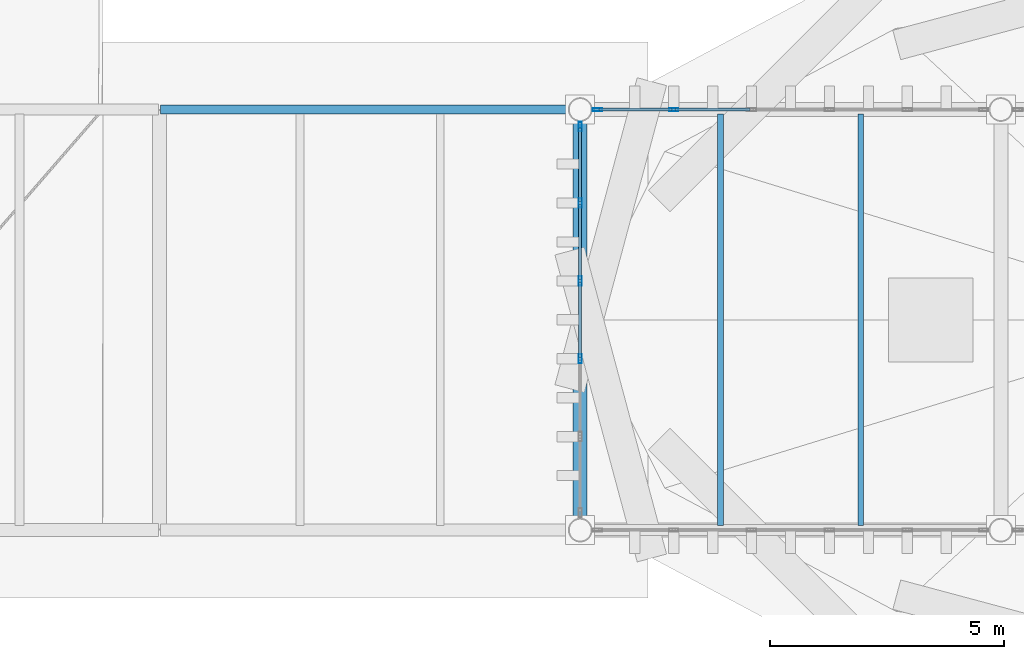
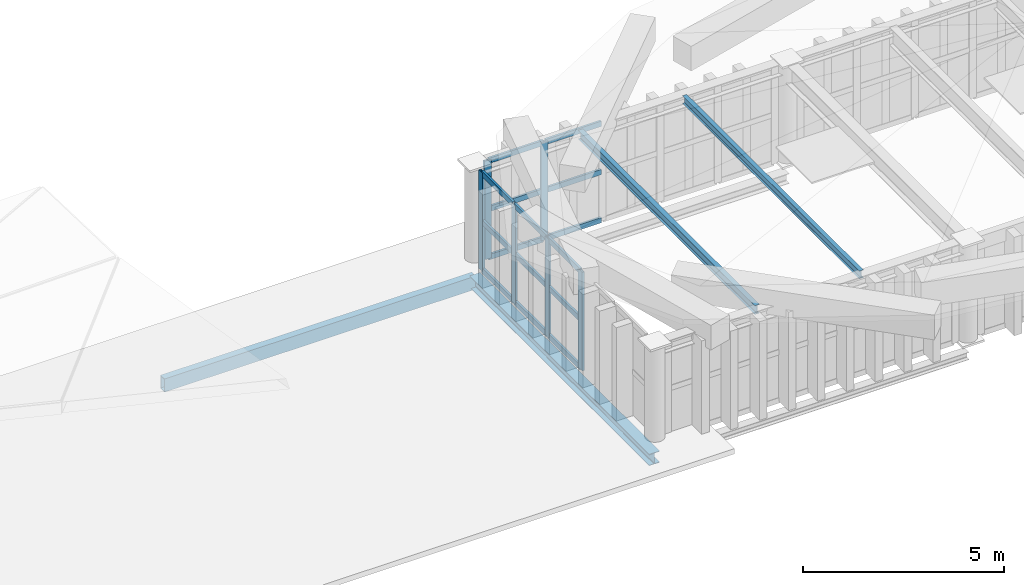
# One storey, part 16 of 102: 21 members, 4 beams, 2 elements without a shape of their own.
"""IFC4 building model written with IfcOpenShell, lengths in metres."""

import ifcopenshell
import ifcopenshell.guid

model = None  # the IFC model being written
_history = None  # IfcOwnerHistory: only IFC2X3 demands one
_inside = {}  # id of a spatial element -> (the spatial element, [elements in it])
_under = {}  # id of a project, library or spatial element -> (it, [spatial elements below it])
_declared = {}  # id of a project -> (the project, [libraries it declares])
_typed = {}  # id of a type object -> (the type object, [elements of that type])
_made_of = {}  # id of a material, layer set ... -> (it, [elements and type objects made of it])


def new_model(schema):
    """Start an empty IFC model of exactly this schema.

    Asked for "IFC4X3", IfcOpenShell would pick the latest addendum, in which some entities
    have other attributes; the version numbers below select the first issue.
    IFC2X3 requires an IfcOwnerHistory on every rooted entity: one is made here for all.
    """
    global model, _history
    if schema == "IFC4X3":
        model = ifcopenshell.file(schema_version=(4, 3, 0, 0))
    else:
        model = ifcopenshell.file(schema=schema)
    _inside.clear()
    _under.clear()
    _declared.clear()
    _typed.clear()
    _made_of.clear()
    _history = None
    if model.schema == "IFC2X3":
        org = make("IfcOrganization", Name="unknown")
        user = make(
            "IfcPersonAndOrganization",
            ThePerson=make("IfcPerson", FamilyName="unknown"),
            TheOrganization=org,
        )
        app = make(
            "IfcApplication",
            ApplicationDeveloper=org,
            Version="unknown",
            ApplicationFullName="unknown",
            ApplicationIdentifier="unknown",
        )
        _history = make(
            "IfcOwnerHistory",
            OwningUser=user,
            OwningApplication=app,
            ChangeAction="ADDED",
            CreationDate=0,
        )
    return model


def make(cls, **values):
    """One entity of the class cls with the attributes given. An attribute that is None is left unset."""
    return model.create_entity(
        cls, **{name: value for name, value in values.items() if value is not None}
    )


def rooted(cls, **values):
    """An entity with a GlobalId (a new one), such as an element, a storey or a relation."""
    return make(cls, GlobalId=ifcopenshell.guid.new(), OwnerHistory=_history, **values)


def si_unit(unit_type, name, prefix=None):
    """IfcSIUnit, for example si_unit("LENGTHUNIT", "METRE", prefix="MILLI")."""
    return make("IfcSIUnit", UnitType=unit_type, Prefix=prefix, Name=name)


def assignment(units):
    """IfcUnitAssignment: the units of a project."""
    return None if units is None else make("IfcUnitAssignment", Units=units)


def point(xyz):
    """IfcCartesianPoint."""
    return None if xyz is None else make("IfcCartesianPoint", Coordinates=xyz)


def direction(xyz):
    """IfcDirection."""
    return None if xyz is None else make("IfcDirection", DirectionRatios=xyz)


def frame(location, z_axis=None, x_axis=None):
    """IfcAxis2Placement3D, a coordinate frame: its origin and axes. An axis left out is left unset."""
    return make(
        "IfcAxis2Placement3D",
        Location=point(location),
        Axis=direction(z_axis),
        RefDirection=direction(x_axis),
    )


def frame_2d(location, x_axis=None):
    """IfcAxis2Placement2D, a coordinate frame in the plane: its origin and x axis."""
    return make(
        "IfcAxis2Placement2D", Location=point(location), RefDirection=direction(x_axis)
    )


def origin():
    """The frame at (0, 0, 0) with its axes left unset."""
    return frame((0.0, 0.0, 0.0))


def origin_2d():
    """The frame at (0, 0) in the plane with its x axis left unset."""
    return frame_2d((0.0, 0.0))


def place(relative_to, where):
    """IfcLocalPlacement: puts the frame where relative to a parent placement (None: the world)."""
    return make(
        "IfcLocalPlacement", PlacementRelTo=relative_to, RelativePlacement=where
    )


def context(
    kind, dimensions, precision=None, world=None, true_north=None, identifier=None
):
    """IfcGeometricRepresentationContext, for example the 3D "Model" context."""
    return make(
        "IfcGeometricRepresentationContext",
        ContextIdentifier=identifier,
        ContextType=kind,
        CoordinateSpaceDimension=dimensions,
        Precision=precision,
        WorldCoordinateSystem=world,
        TrueNorth=true_north,
    )


def subcontext(parent, identifier, kind, view, scale=None):
    """IfcGeometricRepresentationSubContext, for example "Body" below "Model"."""
    return make(
        "IfcGeometricRepresentationSubContext",
        ContextIdentifier=identifier,
        ContextType=kind,
        ParentContext=parent,
        TargetScale=scale,
        TargetView=view,
    )


def project(units=None, contexts=None):
    """IfcProject with its units and contexts."""
    return rooted(
        "IfcProject",
        Name="project",
        RepresentationContexts=contexts,
        UnitsInContext=assignment(units),
    )


def spatial(cls, under=None, at=None, **own):
    """A site, building, storey or space (cls), placed at a placement, below another one or the project."""
    s = rooted(cls, ObjectPlacement=at, **own)
    if under is not None:
        _under.setdefault(under.id(), (under, []))[1].append(s)
    return s


def profile(cls, at=None, kind="AREA", **sizes):
    """A parametric profile (cls). Its sizes go by their IFC names, for example OverallWidth=200.0."""
    return make(cls, ProfileType=kind, Position=at, **sizes)


def hollow_rectangle(**sizes):
    """IfcRectangleHollowProfileDef."""
    return profile("IfcRectangleHollowProfileDef", **sizes)


def i_section(**sizes):
    """IfcIShapeProfileDef."""
    return profile("IfcIShapeProfileDef", **sizes)


def extrude(swept, where, along, depth):
    """IfcExtrudedAreaSolid: the profile swept, set in the frame where, extruded along a direction by depth."""
    return make(
        "IfcExtrudedAreaSolid",
        SweptArea=swept,
        Position=where,
        ExtrudedDirection=direction(along),
        Depth=depth,
    )


def shape(context_of_items, identifier, shape_type, items):
    """IfcShapeRepresentation: the items that make up one representation, for example the "Body"."""
    return make(
        "IfcShapeRepresentation",
        ContextOfItems=context_of_items,
        RepresentationIdentifier=identifier,
        RepresentationType=shape_type,
        Items=items,
    )


def material(Name=None, Category=None):
    """IfcMaterial."""
    return make("IfcMaterial", Name=Name, Category=Category)


def layer(
    of_material, thickness, ventilated=None, Name=None, Category=None, Priority=None
):
    """IfcMaterialLayer: one layer of a wall or slab, of a material (None: an air gap)."""
    return make(
        "IfcMaterialLayer",
        Material=of_material,
        LayerThickness=thickness,
        IsVentilated=ventilated,
        Name=Name,
        Category=Category,
        Priority=Priority,
    )


def layer_set(layers, Name=None):
    """IfcMaterialLayerSet."""
    return make("IfcMaterialLayerSet", MaterialLayers=layers, LayerSetName=Name)


def material_profile(
    of_material, cross_section, Name=None, Category=None, Priority=None
):
    """IfcMaterialProfile: a cross section and its material."""
    return make(
        "IfcMaterialProfile",
        Name=Name,
        Material=of_material,
        Profile=cross_section,
        Priority=Priority,
        Category=Category,
    )


def profile_set(profiles, Name=None, composite=None):
    """IfcMaterialProfileSet."""
    return make(
        "IfcMaterialProfileSet",
        Name=Name,
        MaterialProfiles=profiles,
        CompositeProfile=composite,
    )


def made_of(thing, what):
    """Note that an element or type object is made of a material, layer set ...; save() writes the relation."""
    if what is not None:
        _made_of.setdefault(what.id(), (what, []))[1].append(thing)
    return thing


def type_object(cls, material=None, **own):
    """A type object (cls), such as IfcWallType, which elements share."""
    return made_of(rooted(cls, **own), material)


def element(
    cls,
    number,
    at=None,
    inside=None,
    cuts=None,
    type_object=None,
    material=None,
    context=None,
    identifier="Body",
    shape_type=None,
    held_by="IfcProductDefinitionShape",
    body=None,
    shapes=None,
    **own,
):
    """One element of the class cls, such as IfcWall. Its Tag is "e" and its number.

    at: its placement. inside: the storey or other place that contains it. cuts: it is an
    opening in that element (IfcRelVoidsElement). A single representation is given by context,
    identifier, shape_type and body (its items); several are given by shapes. held_by: the class
    of the entity that holds the representations. save() writes the other relations.
    """
    e = rooted(cls, Tag="e%d" % number, ObjectPlacement=at, **own)
    if body is not None:
        shapes = [shape(context, identifier, shape_type, body)]
    if shapes is not None:
        e.Representation = make(held_by, Representations=shapes)
    if inside is not None:
        _inside.setdefault(inside.id(), (inside, []))[1].append(e)
    if cuts is not None:
        rooted(
            "IfcRelVoidsElement", RelatingBuildingElement=cuts, RelatedOpeningElement=e
        )
    if type_object is not None:
        _typed.setdefault(type_object.id(), (type_object, []))[1].append(e)
    return made_of(e, material)


def aggregate(whole, parts):
    """IfcRelAggregates: a whole, such as a stair, and the parts it consists of."""
    return rooted("IfcRelAggregates", RelatingObject=whole, RelatedObjects=parts)


def save(model, path):
    """Write the relations noted so far, then the file.

    IfcRelAggregates (storeys below a building ...), IfcRelContainedInSpatialStructure (elements
    in a storey), IfcRelDefinesByType, IfcRelAssociatesMaterial and IfcRelDeclares: one each for
    every whole, place, type object, material and project.
    """
    for whole, parts in _under.values():
        aggregate(whole, parts)
    for where, things in _inside.values():
        rooted(
            "IfcRelContainedInSpatialStructure",
            RelatedElements=things,
            RelatingStructure=where,
        )
    for kind, things in _typed.values():
        rooted("IfcRelDefinesByType", RelatedObjects=things, RelatingType=kind)
    for what, things in _made_of.values():
        rooted("IfcRelAssociatesMaterial", RelatedObjects=things, RelatingMaterial=what)
    for by, libraries in _declared.values():
        rooted("IfcRelDeclares", RelatingContext=by, RelatedDefinitions=libraries)
    model.write(path)


model = new_model("IFC4")

# Units and contexts
model_context = context("Model", 3, precision=1e-05, world=origin(), true_north=direction((0.0, 1.0)))
body_context = subcontext(model_context, "Body", "Model", "MODEL_VIEW")
ifc_project = project(units=[si_unit("LENGTHUNIT", "METRE"), si_unit("AREAUNIT", "SQUARE_METRE"), si_unit("VOLUMEUNIT", "CUBIC_METRE"), si_unit("PLANEANGLEUNIT", "RADIAN"), si_unit("MASSUNIT", "GRAM", prefix="KILO")], contexts=[model_context])

# Site, building, storey
site_placement = place(None, origin())
site = spatial("IfcSite", under=ifc_project, at=site_placement, CompositionType="ELEMENT")
building_placement = place(site_placement, origin())
building = spatial("IfcBuilding", under=site, at=building_placement, Name="Barlavento Convention Centre", CompositionType="ELEMENT")
storey_placement = place(building_placement, frame((0.0, 0.0, 22.800048828125)))
storey = spatial("IfcBuildingStorey", under=building, at=storey_placement, Name="L04", CompositionType="ELEMENT", Elevation=22.800048828125)

# Curtain wall, members
ifc_material_1 = material(Name="Powder-coated aluminium and Low-E glass", Category="aluminium")
ifc_layer = layer(ifc_material_1, 0.18505859375)
ifc_layer_set = layer_set([ifc_layer], Name="ARC-CW-CONF-L04")
curtain_wall_type = type_object("IfcCurtainWallType", Name="ARC-CW-CONF-L04", PredefinedType="NOTDEFINED", material=ifc_layer_set)
curtain_wall_1_placement = place(storey_placement, origin())
curtain_wall_1 = element("IfcCurtainWall", 1, at=curtain_wall_1_placement, inside=storey, type_object=curtain_wall_type, Name="L04 unitised curtain wall CW09", PredefinedType="NOTDEFINED")
ifc_material_2 = material(Name="Powder-coated aluminium", Category="aluminium")
ifc_material_profile_1 = material_profile(ifc_material_2, hollow_rectangle(XDim=0.06494140625, YDim=0.199951171875, WallThickness=0.0048828125, at=origin_2d()), Name="AL-MULL 65x200x5")
ifc_profile_set_1 = profile_set([ifc_material_profile_1], Name="Powder-coated aluminium")
member_type_1 = type_object("IfcMemberType", Name="ARC-CWM-65X200", PredefinedType="MULLION", material=ifc_profile_set_1)
member_1_placement = place(storey_placement, frame((81.366455078125, 54.0, 0.0), z_axis=(0.0, 0.0, 1.0), x_axis=(0.0, 1.0, 0.0)))
member_1 = element("IfcMember", 2, at=member_1_placement, type_object=member_type_1, Name="CW09 mullion 1", PredefinedType="MULLION", context=body_context, shape_type="SweptSolid", body=[
    extrude(hollow_rectangle(XDim=0.06494140625, YDim=0.199951171875, WallThickness=0.0048828125, at=origin_2d()), origin(), (0.0, 0.0, 1.0), 3.0),
])
member_2_placement = place(storey_placement, frame((83.00048828125, 54.0, 0.0), z_axis=(0.0, 0.0, 1.0), x_axis=(0.0, 1.0, 0.0)))
member_2 = element("IfcMember", 3, at=member_2_placement, type_object=member_type_1, Name="CW09 mullion 2", PredefinedType="MULLION", context=body_context, shape_type="SweptSolid", body=[
    extrude(hollow_rectangle(XDim=0.06494140625, YDim=0.199951171875, WallThickness=0.0048828125, at=origin_2d()), origin(), (0.0, 0.0, 1.0), 3.0),
])

curtain_wall_2_placement = place(storey_placement, origin())
curtain_wall_2 = element("IfcCurtainWall", 4, at=curtain_wall_2_placement, inside=storey, type_object=curtain_wall_type, Name="L04 unitised curtain wall CW09", PredefinedType="NOTDEFINED")
member_3_placement = place(storey_placement, frame((81.0, 48.666748046875, 0.0), z_axis=(0.0, 0.0, 1.0), x_axis=(-1.0, 0.0, 0.0)))
member_3 = element("IfcMember", 5, at=member_3_placement, type_object=member_type_1, Name="CW09 mullion 3", PredefinedType="MULLION", context=body_context, shape_type="SweptSolid", body=[
    extrude(hollow_rectangle(XDim=0.06494140625, YDim=0.199951171875, WallThickness=0.0048828125, at=origin_2d()), origin(), (0.0, 0.0, 1.0), 3.0),
])
member_4_placement = place(storey_placement, frame((81.0, 50.333251953125, 0.0), z_axis=(0.0, 0.0, 1.0), x_axis=(-1.0, 0.0, 0.0)))
member_4 = element("IfcMember", 6, at=member_4_placement, type_object=member_type_1, Name="CW09 mullion 4", PredefinedType="MULLION", context=body_context, shape_type="SweptSolid", body=[
    extrude(hollow_rectangle(XDim=0.06494140625, YDim=0.199951171875, WallThickness=0.0048828125, at=origin_2d()), origin(), (0.0, 0.0, 1.0), 3.0),
])
member_5_placement = place(storey_placement, frame((81.0, 51.99951171875, 0.0), z_axis=(0.0, 0.0, 1.0), x_axis=(-1.0, 0.0, 0.0)))
member_5 = element("IfcMember", 7, at=member_5_placement, type_object=member_type_1, Name="CW09 mullion 5", PredefinedType="MULLION", context=body_context, shape_type="SweptSolid", body=[
    extrude(hollow_rectangle(XDim=0.06494140625, YDim=0.199951171875, WallThickness=0.0048828125, at=origin_2d()), origin(), (0.0, 0.0, 1.0), 3.0),
])
member_6_placement = place(storey_placement, frame((81.0, 53.633544921875, 0.0), z_axis=(0.0, 0.0, 1.0), x_axis=(-1.0, 0.0, 0.0)))
member_6 = element("IfcMember", 8, at=member_6_placement, type_object=member_type_1, Name="CW09 mullion 6", PredefinedType="MULLION", context=body_context, shape_type="SweptSolid", body=[
    extrude(hollow_rectangle(XDim=0.06494140625, YDim=0.199951171875, WallThickness=0.0048828125, at=origin_2d()), origin(), (0.0, 0.0, 1.0), 3.0),
])

# Member
ifc_material_profile_2 = material_profile(ifc_material_2, hollow_rectangle(XDim=0.06494140625, YDim=0.159912109375, WallThickness=0.0048828125, at=origin_2d()), Name="AL-TRAN 65x160x5")
ifc_profile_set_2 = profile_set([ifc_material_profile_2], Name="Powder-coated aluminium")
member_type_2 = type_object("IfcMemberType", Name="ARC-CWT-65X160", PredefinedType="USERDEFINED", material=ifc_profile_set_2)
member_7_placement = place(storey_placement, frame((81.39892578125, 54.0, 0.032470703125), z_axis=(1.0, 0.0, 0.0), x_axis=(0.0, 1.0, 0.0)))
member_7 = element("IfcMember", 9, at=member_7_placement, type_object=member_type_2, Name="CW09 transom 1.1", ObjectType="TRANSOM", PredefinedType="USERDEFINED", context=body_context, shape_type="SweptSolid", body=[
    extrude(hollow_rectangle(XDim=0.06494140625, YDim=0.159912109375, WallThickness=0.0048828125, at=origin_2d()), origin(), (0.0, 0.0, 1.0), 1.569091796875),
])

member_8_placement = place(storey_placement, frame((81.39892578125, 54.0, 1.5), z_axis=(1.0, 0.0, 0.0), x_axis=(0.0, 1.0, 0.0)))
member_8 = element("IfcMember", 10, at=member_8_placement, type_object=member_type_2, Name="CW09 transom 1.2", ObjectType="TRANSOM", PredefinedType="USERDEFINED", context=body_context, shape_type="SweptSolid", body=[
    extrude(hollow_rectangle(XDim=0.06494140625, YDim=0.159912109375, WallThickness=0.0048828125, at=origin_2d()), origin(), (0.0, 0.0, 1.0), 1.569091796875),
])

member_9_placement = place(storey_placement, frame((81.39892578125, 54.0, 2.967529296875), z_axis=(1.0, 0.0, 0.0), x_axis=(0.0, 1.0, 0.0)))
member_9 = element("IfcMember", 11, at=member_9_placement, type_object=member_type_2, Name="CW09 transom 1.3", ObjectType="TRANSOM", PredefinedType="USERDEFINED", context=body_context, shape_type="SweptSolid", body=[
    extrude(hollow_rectangle(XDim=0.06494140625, YDim=0.159912109375, WallThickness=0.0048828125, at=origin_2d()), origin(), (0.0, 0.0, 1.0), 1.569091796875),
])

member_10_placement = place(storey_placement, frame((83.032958984375, 54.0, 0.032470703125), z_axis=(1.0, 0.0, 0.0), x_axis=(0.0, 1.0, 0.0)))
member_10 = element("IfcMember", 12, at=member_10_placement, type_object=member_type_2, Name="CW09 transom 2.1", ObjectType="TRANSOM", PredefinedType="USERDEFINED", context=body_context, shape_type="SweptSolid", body=[
    extrude(hollow_rectangle(XDim=0.06494140625, YDim=0.159912109375, WallThickness=0.0048828125, at=origin_2d()), origin(), (0.0, 0.0, 1.0), 1.601318359375),
])

member_11_placement = place(storey_placement, frame((83.032958984375, 54.0, 1.5), z_axis=(1.0, 0.0, 0.0), x_axis=(0.0, 1.0, 0.0)))
member_11 = element("IfcMember", 13, at=member_11_placement, type_object=member_type_2, Name="CW09 transom 2.2", ObjectType="TRANSOM", PredefinedType="USERDEFINED", context=body_context, shape_type="SweptSolid", body=[
    extrude(hollow_rectangle(XDim=0.06494140625, YDim=0.159912109375, WallThickness=0.0048828125, at=origin_2d()), origin(), (0.0, 0.0, 1.0), 1.601318359375),
])

member_12_placement = place(storey_placement, frame((83.032958984375, 54.0, 2.967529296875), z_axis=(1.0, 0.0, 0.0), x_axis=(0.0, 1.0, 0.0)))
member_12 = element("IfcMember", 14, at=member_12_placement, type_object=member_type_2, Name="CW09 transom 2.3", ObjectType="TRANSOM", PredefinedType="USERDEFINED", context=body_context, shape_type="SweptSolid", body=[
    extrude(hollow_rectangle(XDim=0.06494140625, YDim=0.159912109375, WallThickness=0.0048828125, at=origin_2d()), origin(), (0.0, 0.0, 1.0), 1.601318359375),
])

aggregate(curtain_wall_1, [member_1, member_2, member_7, member_8, member_9, member_10, member_11, member_12])

member_13_placement = place(storey_placement, frame((81.0, 48.69921875, 0.032470703125), z_axis=(0.0, 1.0, 0.0), x_axis=(-1.0, 0.0, 0.0)))
member_13 = element("IfcMember", 15, at=member_13_placement, type_object=member_type_2, Name="CW09 transom 3.1", ObjectType="TRANSOM", PredefinedType="USERDEFINED", context=body_context, shape_type="SweptSolid", body=[
    extrude(hollow_rectangle(XDim=0.06494140625, YDim=0.159912109375, WallThickness=0.0048828125, at=origin_2d()), origin(), (0.0, 0.0, 1.0), 1.6015625),
])

member_14_placement = place(storey_placement, frame((81.0, 48.69921875, 1.5), z_axis=(0.0, 1.0, 0.0), x_axis=(-1.0, 0.0, 0.0)))
member_14 = element("IfcMember", 16, at=member_14_placement, type_object=member_type_2, Name="CW09 transom 3.2", ObjectType="TRANSOM", PredefinedType="USERDEFINED", context=body_context, shape_type="SweptSolid", body=[
    extrude(hollow_rectangle(XDim=0.06494140625, YDim=0.159912109375, WallThickness=0.0048828125, at=origin_2d()), origin(), (0.0, 0.0, 1.0), 1.6015625),
])

member_15_placement = place(storey_placement, frame((81.0, 48.69921875, 2.967529296875), z_axis=(0.0, 1.0, 0.0), x_axis=(-1.0, 0.0, 0.0)))
member_15 = element("IfcMember", 17, at=member_15_placement, type_object=member_type_2, Name="CW09 transom 3.3", ObjectType="TRANSOM", PredefinedType="USERDEFINED", context=body_context, shape_type="SweptSolid", body=[
    extrude(hollow_rectangle(XDim=0.06494140625, YDim=0.159912109375, WallThickness=0.0048828125, at=origin_2d()), origin(), (0.0, 0.0, 1.0), 1.6015625),
])

member_16_placement = place(storey_placement, frame((81.0, 50.36572265625, 0.032470703125), z_axis=(0.0, 1.0, 0.0), x_axis=(-1.0, 0.0, 0.0)))
member_16 = element("IfcMember", 18, at=member_16_placement, type_object=member_type_2, Name="CW09 transom 4.1", ObjectType="TRANSOM", PredefinedType="USERDEFINED", context=body_context, shape_type="SweptSolid", body=[
    extrude(hollow_rectangle(XDim=0.06494140625, YDim=0.159912109375, WallThickness=0.0048828125, at=origin_2d()), origin(), (0.0, 0.0, 1.0), 1.601318359375),
])

member_17_placement = place(storey_placement, frame((81.0, 50.36572265625, 1.5), z_axis=(0.0, 1.0, 0.0), x_axis=(-1.0, 0.0, 0.0)))
member_17 = element("IfcMember", 19, at=member_17_placement, type_object=member_type_2, Name="CW09 transom 4.2", ObjectType="TRANSOM", PredefinedType="USERDEFINED", context=body_context, shape_type="SweptSolid", body=[
    extrude(hollow_rectangle(XDim=0.06494140625, YDim=0.159912109375, WallThickness=0.0048828125, at=origin_2d()), origin(), (0.0, 0.0, 1.0), 1.601318359375),
])

member_18_placement = place(storey_placement, frame((81.0, 50.36572265625, 2.967529296875), z_axis=(0.0, 1.0, 0.0), x_axis=(-1.0, 0.0, 0.0)))
member_18 = element("IfcMember", 20, at=member_18_placement, type_object=member_type_2, Name="CW09 transom 4.3", ObjectType="TRANSOM", PredefinedType="USERDEFINED", context=body_context, shape_type="SweptSolid", body=[
    extrude(hollow_rectangle(XDim=0.06494140625, YDim=0.159912109375, WallThickness=0.0048828125, at=origin_2d()), origin(), (0.0, 0.0, 1.0), 1.601318359375),
])

member_19_placement = place(storey_placement, frame((81.0, 52.031982421875, 0.032470703125), z_axis=(0.0, 1.0, 0.0), x_axis=(-1.0, 0.0, 0.0)))
member_19 = element("IfcMember", 21, at=member_19_placement, type_object=member_type_2, Name="CW09 transom 5.1", ObjectType="TRANSOM", PredefinedType="USERDEFINED", context=body_context, shape_type="SweptSolid", body=[
    extrude(hollow_rectangle(XDim=0.06494140625, YDim=0.159912109375, WallThickness=0.0048828125, at=origin_2d()), origin(), (0.0, 0.0, 1.0), 1.569091796875),
])

member_20_placement = place(storey_placement, frame((81.0, 52.031982421875, 1.5), z_axis=(0.0, 1.0, 0.0), x_axis=(-1.0, 0.0, 0.0)))
member_20 = element("IfcMember", 22, at=member_20_placement, type_object=member_type_2, Name="CW09 transom 5.2", ObjectType="TRANSOM", PredefinedType="USERDEFINED", context=body_context, shape_type="SweptSolid", body=[
    extrude(hollow_rectangle(XDim=0.06494140625, YDim=0.159912109375, WallThickness=0.0048828125, at=origin_2d()), origin(), (0.0, 0.0, 1.0), 1.569091796875),
])

member_21_placement = place(storey_placement, frame((81.0, 52.031982421875, 2.967529296875), z_axis=(0.0, 1.0, 0.0), x_axis=(-1.0, 0.0, 0.0)))
member_21 = element("IfcMember", 23, at=member_21_placement, type_object=member_type_2, Name="CW09 transom 5.3", ObjectType="TRANSOM", PredefinedType="USERDEFINED", context=body_context, shape_type="SweptSolid", body=[
    extrude(hollow_rectangle(XDim=0.06494140625, YDim=0.159912109375, WallThickness=0.0048828125, at=origin_2d()), origin(), (0.0, 0.0, 1.0), 1.569091796875),
])

aggregate(curtain_wall_2, [member_3, member_4, member_5, member_6, member_13, member_14, member_15, member_16, member_17, member_18, member_19, member_20, member_21])

# Beams
ifc_material_3 = material(Name="Steel S355", Category="steel")
ifc_material_profile_3 = material_profile(ifc_material_3, i_section(OverallWidth=0.1201171875, OverallDepth=0.239990234375, WebThickness=0.006103515625, FlangeThickness=0.009765625, FilletRadius=0.014892578125, at=origin_2d()), Name="IPE 240")
ifc_profile_set_3 = profile_set([ifc_material_profile_3], Name="Steel S355")
beam_type_1 = type_object("IfcBeamType", Name="STR-BM-JST-IPE240", PredefinedType="JOIST", material=ifc_profile_set_3)
beam_1_placement = place(storey_placement, frame((87.0, 45.094970703125, 2.93505859375), z_axis=(0.0, 1.0, 0.0), x_axis=(-1.0, 0.0, 0.0)))
element("IfcBeam", 24, at=beam_1_placement, inside=storey, type_object=beam_type_1, Name="L04 composite floor joist SJ09", PredefinedType="JOIST", context=body_context, shape_type="SweptSolid", body=[
    extrude(i_section(OverallWidth=0.1201171875, OverallDepth=0.239990234375, WebThickness=0.006103515625, FlangeThickness=0.009765625, FilletRadius=0.014892578125, at=origin_2d()), origin(), (0.0, 0.0, 1.0), 8.81005859375),
])
ifc_material_profile_4 = material_profile(ifc_material_3, i_section(OverallWidth=0.135009765625, OverallDepth=0.27001953125, WebThickness=0.006591796875, FlangeThickness=0.01025390625, FilletRadius=0.014892578125, at=origin_2d()), Name="IPE 270")
ifc_profile_set_4 = profile_set([ifc_material_profile_4], Name="Steel S355")
beam_type_2 = type_object("IfcBeamType", Name="STR-BM-JST-IPE270", PredefinedType="JOIST", material=ifc_profile_set_4)
beam_2_placement = place(storey_placement, frame((84.0, 45.094970703125, 2.919921875), z_axis=(0.0, 1.0, 0.0), x_axis=(-1.0, 0.0, 0.0)))
element("IfcBeam", 25, at=beam_2_placement, inside=storey, type_object=beam_type_2, Name="L04 composite floor joist SJ08", PredefinedType="JOIST", context=body_context, shape_type="SweptSolid", body=[
    extrude(i_section(OverallWidth=0.135009765625, OverallDepth=0.27001953125, WebThickness=0.006591796875, FlangeThickness=0.01025390625, FilletRadius=0.014892578125, at=origin_2d()), origin(), (0.0, 0.0, 1.0), 8.81005859375),
])
ifc_material_profile_5 = material_profile(ifc_material_3, i_section(OverallWidth=0.300048828125, OverallDepth=0.35009765625, WebThickness=0.010009765625, FlangeThickness=0.017578125, FilletRadius=0.027099609375, at=origin_2d()), Name="HEA 360")
ifc_profile_set_5 = profile_set([ifc_material_profile_5], Name="Steel S355")
beam_type_3 = type_object("IfcBeamType", Name="STR-BM-PRI-HEA360", PredefinedType="BEAM", material=ifc_profile_set_5)
beam_3_placement = place(storey_placement, frame((81.0, 45.02001953125, -0.52001953125), z_axis=(0.0, 1.0, 0.0), x_axis=(-1.0, 0.0, 0.0)))
element("IfcBeam", 26, at=beam_3_placement, inside=storey, type_object=beam_type_3, Name="L04 grid girder BG23", PredefinedType="BEAM", context=body_context, shape_type="SweptSolid", body=[
    extrude(i_section(OverallWidth=0.300048828125, OverallDepth=0.35009765625, WebThickness=0.010009765625, FlangeThickness=0.017578125, FilletRadius=0.027099609375, at=origin_2d()), origin(), (0.0, 0.0, 1.0), 8.9599609375),
])
ifc_material_profile_6 = material_profile(ifc_material_3, hollow_rectangle(XDim=0.199951171875, YDim=0.39990234375, WallThickness=0.01611328125, at=origin_2d()), Name="RHS 400x200x16.0")
ifc_profile_set_6 = profile_set([ifc_material_profile_6], Name="Steel S355")
beam_type_4 = type_object("IfcBeamType", Name="STR-BM-SPN-RHS400", PredefinedType="SPANDREL", material=ifc_profile_set_6)
beam_4_placement = place(storey_placement, frame((72.02001953125, 54.0, -0.545166015625), z_axis=(1.0, 0.0, 0.0), x_axis=(0.0, 1.0, 0.0)))
element("IfcBeam", 27, at=beam_4_placement, inside=storey, type_object=beam_type_4, Name="L04 primary girder SP06", PredefinedType="SPANDREL", context=body_context, shape_type="SweptSolid", body=[
    extrude(hollow_rectangle(XDim=0.199951171875, YDim=0.39990234375, WallThickness=0.01611328125, at=origin_2d()), origin(), (0.0, 0.0, 1.0), 8.9599609375),
])

save(model, "model.ifc")
